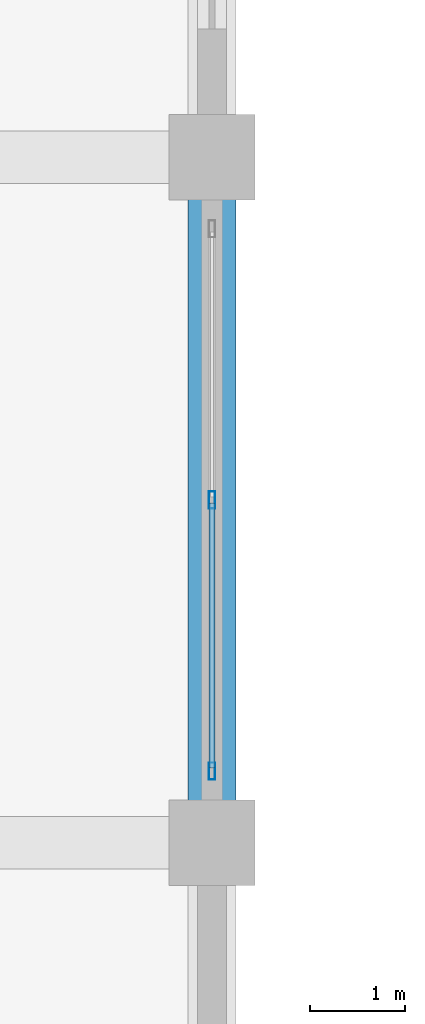
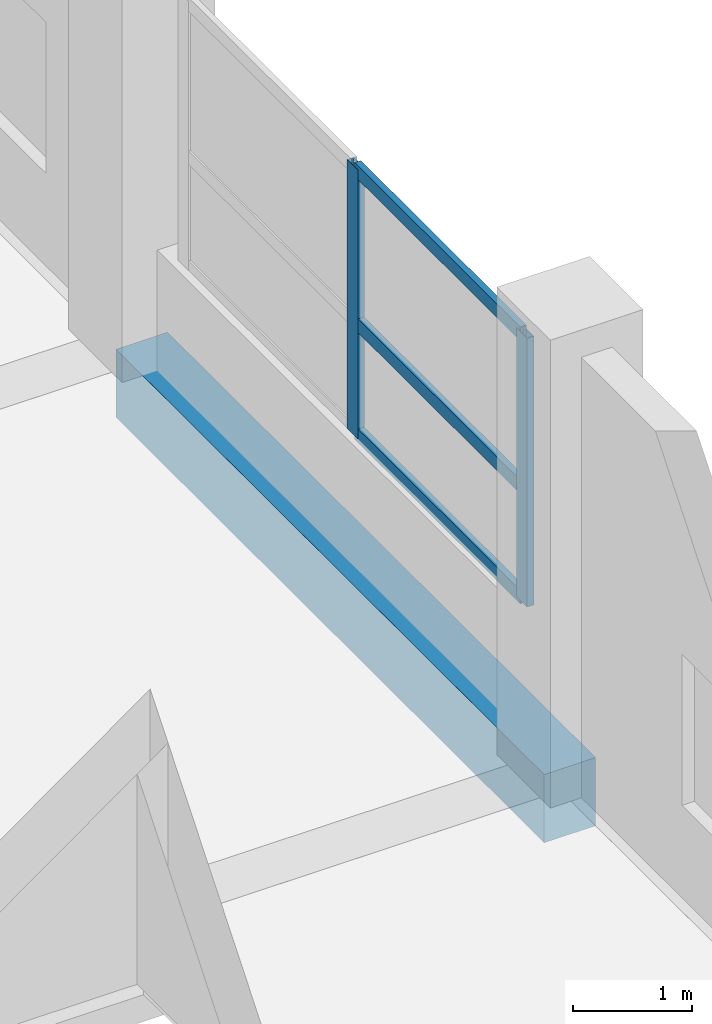
# One storey, part 53 of 181: 5 members, 1 beam, 1 element without a shape of its own.
"""IFC4 building model written with IfcOpenShell, lengths in metres."""

from ifc_helpers import new_model, si_unit, direction, frame, origin, origin_2d, place, context, subcontext, project, spatial, rectangle, hollow_rectangle, extrude, material, layer, layer_set, material_profile, profile_set, type_object, element, aggregate, save


model = new_model("IFC4")

# Units and contexts
model_context = context("Model", 3, precision=1e-05, world=origin(), true_north=direction((0.0, 1.0)))
body_context = subcontext(model_context, "Body", "Model", "MODEL_VIEW")
ifc_project = project(units=[si_unit("LENGTHUNIT", "METRE"), si_unit("AREAUNIT", "SQUARE_METRE"), si_unit("VOLUMEUNIT", "CUBIC_METRE"), si_unit("PLANEANGLEUNIT", "RADIAN"), si_unit("MASSUNIT", "GRAM", prefix="KILO")], contexts=[model_context])

# Site, building, storey
site_placement = place(None, origin())
site = spatial("IfcSite", under=ifc_project, at=site_placement, CompositionType="ELEMENT")
building_placement = place(site_placement, origin())
building = spatial("IfcBuilding", under=site, at=building_placement, Name="Seraya Terrace Polytechnic", CompositionType="ELEMENT")
storey_placement = place(building_placement, frame((0.0, 0.0, 4.800048828125)))
storey = spatial("IfcBuildingStorey", under=building, at=storey_placement, Name="L01", CompositionType="ELEMENT", Elevation=4.800048828125)

# Beam
ifc_material_1 = material(Name="Concrete C40/50", Category="concrete")
ifc_material_profile_1 = material_profile(ifc_material_1, rectangle(XDim=0.5, YDim=0.699951171875, at=origin_2d()), Name="RC 500x700")
ifc_profile_set_1 = profile_set([ifc_material_profile_1], Name="Concrete C40/50")
beam_type = type_object("IfcBeamType", Name="BM-07", PredefinedType="BEAM", material=ifc_profile_set_1)
beam_placement = place(storey_placement, frame((108.0, 43.199951171875, -0.35009765625), z_axis=(0.0, 1.0, 0.0), x_axis=(-1.0, 0.0, 0.0)))
element("IfcBeam", 1, at=beam_placement, inside=storey, type_object=beam_type, Name="Beam BM-07 L01 Y (108.0, 43.2..50.4)", PredefinedType="BEAM", context=body_context, shape_type="SweptSolid", body=[
    extrude(rectangle(XDim=0.5, YDim=0.699951171875, at=origin_2d()), origin(), (0.0, 0.0, 1.0), 7.199951171875),
])

# Curtain wall, members
ifc_material_2 = material(Name="Anodised aluminium EN AW-6063 T6", Category="aluminium")
ifc_layer = layer(ifc_material_2, 0.179931640625, Name="CW-16")
ifc_layer_set = layer_set([ifc_layer], Name="Anodised aluminium EN AW-6063 T6")
curtain_wall_type = type_object("IfcCurtainWallType", Name="CW-16", PredefinedType="NOTDEFINED", material=ifc_layer_set)
curtain_wall_placement = place(storey_placement, origin())
curtain_wall = element("IfcCurtainWall", 2, at=curtain_wall_placement, inside=storey, type_object=curtain_wall_type, Name="Unitised curtain wall CW-16 (CW-L01-052)", PredefinedType="NOTDEFINED")
ifc_material_profile_2 = material_profile(ifc_material_2, hollow_rectangle(XDim=0.06494140625, YDim=0.179931640625, WallThickness=0.00390625, at=origin_2d()), Name="RHS 180x65x4.0")
ifc_profile_set_2 = profile_set([ifc_material_profile_2], Name="Anodised aluminium EN AW-6063 T6")
member_type_1 = type_object("IfcMemberType", Name="CWM-01", PredefinedType="MULLION", material=ifc_profile_set_2)
member_1_placement = place(storey_placement, frame((108.0, 46.800048828125, 1.239990234375), z_axis=(0.0, 0.0, 1.0), x_axis=(1.0, 0.0, 0.0)))
member_1 = element("IfcMember", 3, at=member_1_placement, type_object=member_type_1, Name="CW-16 mullion 2", PredefinedType="MULLION", context=body_context, shape_type="SweptSolid", body=[
    extrude(hollow_rectangle(XDim=0.06494140625, YDim=0.179931640625, WallThickness=0.00390625, at=origin_2d()), origin(), (0.0, 0.0, 1.0), 2.760009765625),
])
member_2_placement = place(storey_placement, frame((108.0, 43.952392578125, 1.239990234375), z_axis=(0.0, 0.0, 1.0), x_axis=(1.0, 0.0, 0.0)))
member_2 = element("IfcMember", 4, at=member_2_placement, type_object=member_type_1, Name="CW-16 mullion 3", PredefinedType="MULLION", context=body_context, shape_type="SweptSolid", body=[
    extrude(hollow_rectangle(XDim=0.06494140625, YDim=0.179931640625, WallThickness=0.00390625, at=origin_2d()), origin(), (0.0, 0.0, 1.0), 2.760009765625),
])
ifc_material_profile_3 = material_profile(ifc_material_2, hollow_rectangle(XDim=0.06005859375, YDim=0.139892578125, WallThickness=0.00341796875, at=origin_2d()), Name="RHS 140x60x3.5")
ifc_profile_set_3 = profile_set([ifc_material_profile_3], Name="Anodised aluminium EN AW-6063 T6")
member_type_2 = type_object("IfcMemberType", Name="CWT-01", PredefinedType="USERDEFINED", material=ifc_profile_set_3)
member_3_placement = place(storey_placement, frame((108.0, 46.767578125, 1.27001953125), z_axis=(0.0, -1.0, 0.0), x_axis=(1.0, 0.0, 0.0)))
member_3 = element("IfcMember", 5, at=member_3_placement, type_object=member_type_2, Name="CW-16 transom 2.1", ObjectType="TRANSOM", PredefinedType="USERDEFINED", context=body_context, shape_type="SweptSolid", body=[
    extrude(hollow_rectangle(XDim=0.06005859375, YDim=0.139892578125, WallThickness=0.00341796875, at=origin_2d()), origin(), (0.0, 0.0, 1.0), 2.782470703125),
])
member_4_placement = place(storey_placement, frame((108.0, 46.767578125, 2.399169921875), z_axis=(0.0, -1.0, 0.0), x_axis=(1.0, 0.0, 0.0)))
member_4 = element("IfcMember", 6, at=member_4_placement, type_object=member_type_2, Name="CW-16 transom 2.2", ObjectType="TRANSOM", PredefinedType="USERDEFINED", context=body_context, shape_type="SweptSolid", body=[
    extrude(hollow_rectangle(XDim=0.06005859375, YDim=0.139892578125, WallThickness=0.00341796875, at=origin_2d()), origin(), (0.0, 0.0, 1.0), 2.782470703125),
])
member_5_placement = place(storey_placement, frame((108.0, 46.767578125, 3.969970703125), z_axis=(0.0, -1.0, 0.0), x_axis=(1.0, 0.0, 0.0)))
member_5 = element("IfcMember", 7, at=member_5_placement, type_object=member_type_2, Name="CW-16 transom 2.3", ObjectType="TRANSOM", PredefinedType="USERDEFINED", context=body_context, shape_type="SweptSolid", body=[
    extrude(hollow_rectangle(XDim=0.06005859375, YDim=0.139892578125, WallThickness=0.00341796875, at=origin_2d()), origin(), (0.0, 0.0, 1.0), 2.782470703125),
])
aggregate(curtain_wall, [member_1, member_2, member_3, member_4, member_5])

save(model, "model.ifc")
